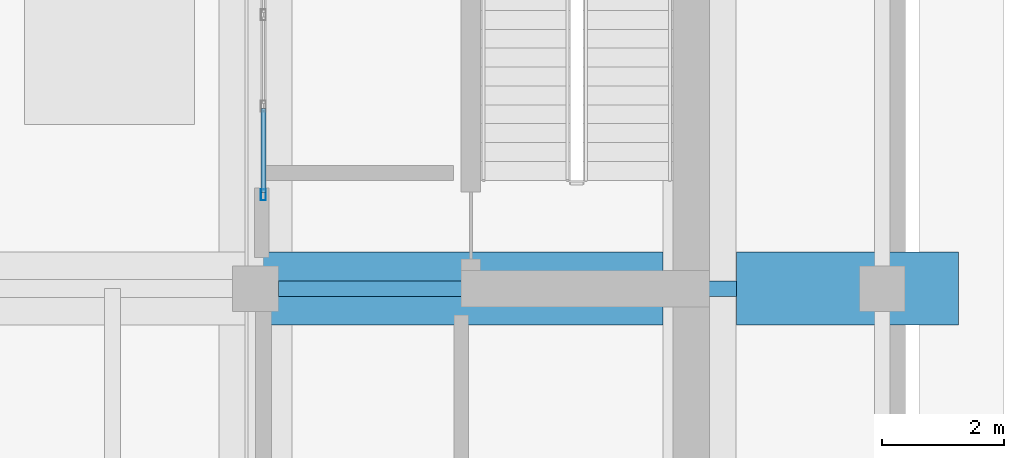
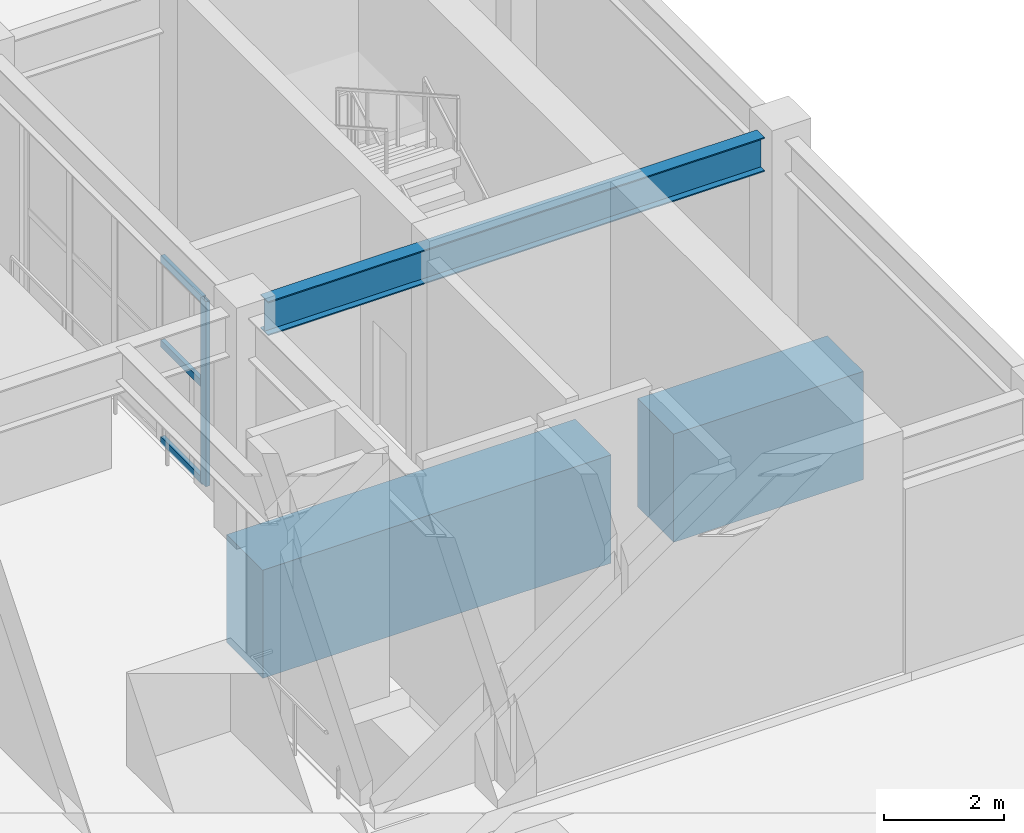
# One storey, part 6 of 16: 4 members, 3 beams, 1 element without a shape of its own.
"""IFC4 building model written with IfcOpenShell, lengths in metres."""

import ifcopenshell
import ifcopenshell.guid

model = None  # the IFC model being written
_history = None  # IfcOwnerHistory: only IFC2X3 demands one
_inside = {}  # id of a spatial element -> (the spatial element, [elements in it])
_under = {}  # id of a project, library or spatial element -> (it, [spatial elements below it])
_declared = {}  # id of a project -> (the project, [libraries it declares])
_typed = {}  # id of a type object -> (the type object, [elements of that type])
_made_of = {}  # id of a material, layer set ... -> (it, [elements and type objects made of it])


def new_model(schema):
    """Start an empty IFC model of exactly this schema.

    Asked for "IFC4X3", IfcOpenShell would pick the latest addendum, in which some entities
    have other attributes; the version numbers below select the first issue.
    IFC2X3 requires an IfcOwnerHistory on every rooted entity: one is made here for all.
    """
    global model, _history
    if schema == "IFC4X3":
        model = ifcopenshell.file(schema_version=(4, 3, 0, 0))
    else:
        model = ifcopenshell.file(schema=schema)
    _inside.clear()
    _under.clear()
    _declared.clear()
    _typed.clear()
    _made_of.clear()
    _history = None
    if model.schema == "IFC2X3":
        org = make("IfcOrganization", Name="unknown")
        user = make(
            "IfcPersonAndOrganization",
            ThePerson=make("IfcPerson", FamilyName="unknown"),
            TheOrganization=org,
        )
        app = make(
            "IfcApplication",
            ApplicationDeveloper=org,
            Version="unknown",
            ApplicationFullName="unknown",
            ApplicationIdentifier="unknown",
        )
        _history = make(
            "IfcOwnerHistory",
            OwningUser=user,
            OwningApplication=app,
            ChangeAction="ADDED",
            CreationDate=0,
        )
    return model


def make(cls, **values):
    """One entity of the class cls with the attributes given. An attribute that is None is left unset."""
    return model.create_entity(
        cls, **{name: value for name, value in values.items() if value is not None}
    )


def rooted(cls, **values):
    """An entity with a GlobalId (a new one), such as an element, a storey or a relation."""
    return make(cls, GlobalId=ifcopenshell.guid.new(), OwnerHistory=_history, **values)


def si_unit(unit_type, name, prefix=None):
    """IfcSIUnit, for example si_unit("LENGTHUNIT", "METRE", prefix="MILLI")."""
    return make("IfcSIUnit", UnitType=unit_type, Prefix=prefix, Name=name)


def assignment(units):
    """IfcUnitAssignment: the units of a project."""
    return None if units is None else make("IfcUnitAssignment", Units=units)


def point(xyz):
    """IfcCartesianPoint."""
    return None if xyz is None else make("IfcCartesianPoint", Coordinates=xyz)


def direction(xyz):
    """IfcDirection."""
    return None if xyz is None else make("IfcDirection", DirectionRatios=xyz)


def frame(location, z_axis=None, x_axis=None):
    """IfcAxis2Placement3D, a coordinate frame: its origin and axes. An axis left out is left unset."""
    return make(
        "IfcAxis2Placement3D",
        Location=point(location),
        Axis=direction(z_axis),
        RefDirection=direction(x_axis),
    )


def frame_2d(location, x_axis=None):
    """IfcAxis2Placement2D, a coordinate frame in the plane: its origin and x axis."""
    return make(
        "IfcAxis2Placement2D", Location=point(location), RefDirection=direction(x_axis)
    )


def origin():
    """The frame at (0, 0, 0) with its axes left unset."""
    return frame((0.0, 0.0, 0.0))


def origin_2d():
    """The frame at (0, 0) in the plane with its x axis left unset."""
    return frame_2d((0.0, 0.0))


def place(relative_to, where):
    """IfcLocalPlacement: puts the frame where relative to a parent placement (None: the world)."""
    return make(
        "IfcLocalPlacement", PlacementRelTo=relative_to, RelativePlacement=where
    )


def context(
    kind, dimensions, precision=None, world=None, true_north=None, identifier=None
):
    """IfcGeometricRepresentationContext, for example the 3D "Model" context."""
    return make(
        "IfcGeometricRepresentationContext",
        ContextIdentifier=identifier,
        ContextType=kind,
        CoordinateSpaceDimension=dimensions,
        Precision=precision,
        WorldCoordinateSystem=world,
        TrueNorth=true_north,
    )


def subcontext(parent, identifier, kind, view, scale=None):
    """IfcGeometricRepresentationSubContext, for example "Body" below "Model"."""
    return make(
        "IfcGeometricRepresentationSubContext",
        ContextIdentifier=identifier,
        ContextType=kind,
        ParentContext=parent,
        TargetScale=scale,
        TargetView=view,
    )


def project(units=None, contexts=None):
    """IfcProject with its units and contexts."""
    return rooted(
        "IfcProject",
        Name="project",
        RepresentationContexts=contexts,
        UnitsInContext=assignment(units),
    )


def spatial(cls, under=None, at=None, **own):
    """A site, building, storey or space (cls), placed at a placement, below another one or the project."""
    s = rooted(cls, ObjectPlacement=at, **own)
    if under is not None:
        _under.setdefault(under.id(), (under, []))[1].append(s)
    return s


def profile(cls, at=None, kind="AREA", **sizes):
    """A parametric profile (cls). Its sizes go by their IFC names, for example OverallWidth=200.0."""
    return make(cls, ProfileType=kind, Position=at, **sizes)


def rectangle(**sizes):
    """IfcRectangleProfileDef."""
    return profile("IfcRectangleProfileDef", **sizes)


def hollow_rectangle(**sizes):
    """IfcRectangleHollowProfileDef."""
    return profile("IfcRectangleHollowProfileDef", **sizes)


def i_section(**sizes):
    """IfcIShapeProfileDef."""
    return profile("IfcIShapeProfileDef", **sizes)


def extrude(swept, where, along, depth):
    """IfcExtrudedAreaSolid: the profile swept, set in the frame where, extruded along a direction by depth."""
    return make(
        "IfcExtrudedAreaSolid",
        SweptArea=swept,
        Position=where,
        ExtrudedDirection=direction(along),
        Depth=depth,
    )


def shape(context_of_items, identifier, shape_type, items):
    """IfcShapeRepresentation: the items that make up one representation, for example the "Body"."""
    return make(
        "IfcShapeRepresentation",
        ContextOfItems=context_of_items,
        RepresentationIdentifier=identifier,
        RepresentationType=shape_type,
        Items=items,
    )


def material(Name=None, Category=None):
    """IfcMaterial."""
    return make("IfcMaterial", Name=Name, Category=Category)


def layer(
    of_material, thickness, ventilated=None, Name=None, Category=None, Priority=None
):
    """IfcMaterialLayer: one layer of a wall or slab, of a material (None: an air gap)."""
    return make(
        "IfcMaterialLayer",
        Material=of_material,
        LayerThickness=thickness,
        IsVentilated=ventilated,
        Name=Name,
        Category=Category,
        Priority=Priority,
    )


def layer_set(layers, Name=None):
    """IfcMaterialLayerSet."""
    return make("IfcMaterialLayerSet", MaterialLayers=layers, LayerSetName=Name)


def material_profile(
    of_material, cross_section, Name=None, Category=None, Priority=None
):
    """IfcMaterialProfile: a cross section and its material."""
    return make(
        "IfcMaterialProfile",
        Name=Name,
        Material=of_material,
        Profile=cross_section,
        Priority=Priority,
        Category=Category,
    )


def profile_set(profiles, Name=None, composite=None):
    """IfcMaterialProfileSet."""
    return make(
        "IfcMaterialProfileSet",
        Name=Name,
        MaterialProfiles=profiles,
        CompositeProfile=composite,
    )


def made_of(thing, what):
    """Note that an element or type object is made of a material, layer set ...; save() writes the relation."""
    if what is not None:
        _made_of.setdefault(what.id(), (what, []))[1].append(thing)
    return thing


def type_object(cls, material=None, **own):
    """A type object (cls), such as IfcWallType, which elements share."""
    return made_of(rooted(cls, **own), material)


def element(
    cls,
    number,
    at=None,
    inside=None,
    cuts=None,
    type_object=None,
    material=None,
    context=None,
    identifier="Body",
    shape_type=None,
    held_by="IfcProductDefinitionShape",
    body=None,
    shapes=None,
    **own,
):
    """One element of the class cls, such as IfcWall. Its Tag is "e" and its number.

    at: its placement. inside: the storey or other place that contains it. cuts: it is an
    opening in that element (IfcRelVoidsElement). A single representation is given by context,
    identifier, shape_type and body (its items); several are given by shapes. held_by: the class
    of the entity that holds the representations. save() writes the other relations.
    """
    e = rooted(cls, Tag="e%d" % number, ObjectPlacement=at, **own)
    if body is not None:
        shapes = [shape(context, identifier, shape_type, body)]
    if shapes is not None:
        e.Representation = make(held_by, Representations=shapes)
    if inside is not None:
        _inside.setdefault(inside.id(), (inside, []))[1].append(e)
    if cuts is not None:
        rooted(
            "IfcRelVoidsElement", RelatingBuildingElement=cuts, RelatedOpeningElement=e
        )
    if type_object is not None:
        _typed.setdefault(type_object.id(), (type_object, []))[1].append(e)
    return made_of(e, material)


def aggregate(whole, parts):
    """IfcRelAggregates: a whole, such as a stair, and the parts it consists of."""
    return rooted("IfcRelAggregates", RelatingObject=whole, RelatedObjects=parts)


def save(model, path):
    """Write the relations noted so far, then the file.

    IfcRelAggregates (storeys below a building ...), IfcRelContainedInSpatialStructure (elements
    in a storey), IfcRelDefinesByType, IfcRelAssociatesMaterial and IfcRelDeclares: one each for
    every whole, place, type object, material and project.
    """
    for whole, parts in _under.values():
        aggregate(whole, parts)
    for where, things in _inside.values():
        rooted(
            "IfcRelContainedInSpatialStructure",
            RelatedElements=things,
            RelatingStructure=where,
        )
    for kind, things in _typed.values():
        rooted("IfcRelDefinesByType", RelatedObjects=things, RelatingType=kind)
    for what, things in _made_of.values():
        rooted("IfcRelAssociatesMaterial", RelatedObjects=things, RelatingMaterial=what)
    for by, libraries in _declared.values():
        rooted("IfcRelDeclares", RelatingContext=by, RelatedDefinitions=libraries)
    model.write(path)


model = new_model("IFC4")

# Units and contexts
model_context = context("Model", 3, precision=1e-05, world=origin(), true_north=direction((0.0, 1.0)))
body_context = subcontext(model_context, "Body", "Model", "MODEL_VIEW")
ifc_project = project(units=[si_unit("LENGTHUNIT", "METRE"), si_unit("AREAUNIT", "SQUARE_METRE"), si_unit("VOLUMEUNIT", "CUBIC_METRE"), si_unit("PLANEANGLEUNIT", "RADIAN"), si_unit("MASSUNIT", "GRAM", prefix="KILO")], contexts=[model_context])

# Site, building, storey
site_placement = place(None, origin())
site = spatial("IfcSite", under=ifc_project, at=site_placement, CompositionType="ELEMENT")
building_placement = place(site_placement, origin())
building = spatial("IfcBuilding", under=site, at=building_placement, Name="Solanera Arch Residences", CompositionType="ELEMENT")
storey_placement = place(building_placement, frame((0.0, 0.0, 278.080078125)))
storey = spatial("IfcBuildingStorey", under=building, at=storey_placement, Name="L80", CompositionType="ELEMENT", Elevation=278.080078125)

# Curtain wall, members
ifc_material_1 = material(Name="Anodised Aluminium Alloy 6063-T6", Category="aluminium")
ifc_layer = layer(ifc_material_1, 0.179931640625)
ifc_layer_set = layer_set([ifc_layer], Name="Anodised Aluminium Alloy 6063-T6")
curtain_wall_type = type_object("IfcCurtainWallType", Name="CW-6 Split-Top Crown Lantern Curtain Wall", PredefinedType="USERDEFINED", material=ifc_layer_set)
curtain_wall_placement = place(storey_placement, origin())
curtain_wall = element("IfcCurtainWall", 1, at=curtain_wall_placement, inside=storey, type_object=curtain_wall_type, Name="L80 E Crown Cleft Lantern Curtain Wall", ObjectType="CURTAIN_WALL", PredefinedType="USERDEFINED")
ifc_material_2 = material(Name="Anodised Aluminium Alloy 6063-T6", Category="aluminium")
ifc_material_profile_1 = material_profile(ifc_material_2, hollow_rectangle(XDim=0.080078125, YDim=0.179931640625, WallThickness=0.00390625, at=origin_2d()))
ifc_profile_set_1 = profile_set([ifc_material_profile_1], Name="Anodised Aluminium Alloy 6063-T6")
member_type_1 = type_object("IfcMemberType", Name="Curtain Wall Mullion ALU-MUL-80X180", PredefinedType="MULLION", material=ifc_profile_set_1)
member_1_placement = place(storey_placement, frame((29.330078125, 32.239990234375, 0.0), z_axis=(0.0, 0.0, 1.0), x_axis=(-1.0, 0.0, 0.0)))
member_1 = element("IfcMember", 2, at=member_1_placement, type_object=member_type_1, Name="CW-6 mullion 1", PredefinedType="MULLION", context=body_context, shape_type="SweptSolid", body=[
    extrude(hollow_rectangle(XDim=0.080078125, YDim=0.179931640625, WallThickness=0.00390625, at=origin_2d()), origin(), (0.0, 0.0, 1.0), 3.760009765625),
])
ifc_material_3 = material(Name="Anodised Aluminium Alloy 6063-T6", Category="aluminium")
ifc_material_profile_2 = material_profile(ifc_material_3, hollow_rectangle(XDim=0.080078125, YDim=0.139892578125, WallThickness=0.00390625, at=origin_2d()))
ifc_profile_set_2 = profile_set([ifc_material_profile_2], Name="Anodised Aluminium Alloy 6063-T6")
member_type_2 = type_object("IfcMemberType", Name="Curtain Wall Transom ALU-TRN-80X140", PredefinedType="USERDEFINED", material=ifc_profile_set_2)
member_2_placement = place(storey_placement, frame((29.330078125, 32.280029296875, 0.0400390625), z_axis=(0.0, 1.0, 0.0), x_axis=(-1.0, 0.0, 0.0)))
member_2 = element("IfcMember", 3, at=member_2_placement, type_object=member_type_2, Name="CW-6 transom 1.1", ObjectType="TRANSOM", PredefinedType="USERDEFINED", context=body_context, shape_type="SweptSolid", body=[
    extrude(hollow_rectangle(XDim=0.080078125, YDim=0.139892578125, WallThickness=0.00390625, at=origin_2d()), origin(), (0.0, 0.0, 1.0), 1.3798828125),
])
member_3_placement = place(storey_placement, frame((29.330078125, 32.280029296875, 2.0), z_axis=(0.0, 1.0, 0.0), x_axis=(-1.0, 0.0, 0.0)))
member_3 = element("IfcMember", 4, at=member_3_placement, type_object=member_type_2, Name="CW-6 transom 1.2", ObjectType="TRANSOM", PredefinedType="USERDEFINED", context=body_context, shape_type="SweptSolid", body=[
    extrude(hollow_rectangle(XDim=0.080078125, YDim=0.139892578125, WallThickness=0.00390625, at=origin_2d()), origin(), (0.0, 0.0, 1.0), 1.3798828125),
])
member_4_placement = place(storey_placement, frame((29.330078125, 32.280029296875, 3.719970703125), z_axis=(0.0, 1.0, 0.0), x_axis=(-1.0, 0.0, 0.0)))
member_4 = element("IfcMember", 5, at=member_4_placement, type_object=member_type_2, Name="CW-6 transom 1.3", ObjectType="TRANSOM", PredefinedType="USERDEFINED", context=body_context, shape_type="SweptSolid", body=[
    extrude(hollow_rectangle(XDim=0.080078125, YDim=0.139892578125, WallThickness=0.00390625, at=origin_2d()), origin(), (0.0, 0.0, 1.0), 1.3798828125),
])
aggregate(curtain_wall, [member_1, member_2, member_3, member_4])

# Beams
ifc_material_4 = material(Name="Steel S355 (ASTM A992 / A572 Grade 50)", Category="steel")
ifc_material_profile_3 = material_profile(ifc_material_4, i_section(OverallWidth=0.256103515625, OverallDepth=0.693115234375, WebThickness=0.014404296875, FlangeThickness=0.023681640625, at=origin_2d()))
ifc_profile_set_3 = profile_set([ifc_material_profile_3], Name="Steel S355 (ASTM A992 / A572 Grade 50)")
beam_type_1 = type_object("IfcBeamType", Name="Primary Beam W690X170", PredefinedType="BEAM", material=ifc_profile_set_3)
beam_1_placement = place(storey_placement, frame((29.574951171875, 30.699951171875, 4.27294921875), z_axis=(1.0, 0.0, 0.0), x_axis=(0.0, 1.0, 0.0)))
element("IfcBeam", 6, at=beam_1_placement, inside=storey, type_object=beam_type_1, Name="BM-L80-CR-EM", PredefinedType="BEAM", context=body_context, shape_type="SweptSolid", body=[
    extrude(i_section(OverallWidth=0.256103515625, OverallDepth=0.693115234375, WebThickness=0.014404296875, FlangeThickness=0.023681640625, at=origin_2d()), origin(), (0.0, 0.0, 1.0), 9.550048828125),
])
ifc_material_5 = material(Name="Concrete C55/67 (f'c = 60 MPa)", Category="concrete")
ifc_material_profile_4 = material_profile(ifc_material_5, rectangle(XDim=1.199951171875, YDim=2.199951171875, at=origin_2d()))
ifc_profile_set_4 = profile_set([ifc_material_profile_4], Name="Concrete C55/67 (f'c = 60 MPa)")
beam_type_2 = type_object("IfcBeamType", Name="Transfer Girder RC-BM-1200X2200", PredefinedType="BEAM", material=ifc_profile_set_4)
beam_2_placement = place(storey_placement, frame((29.199951171875, 30.699951171875, -1.52001953125), z_axis=(1.0, 0.0, 0.0), x_axis=(0.0, 1.0, 0.0)))
element("IfcBeam", 7, at=beam_2_placement, inside=storey, type_object=beam_type_2, Name="BM-L80-CRX-EWCE-307", PredefinedType="BEAM", context=body_context, shape_type="SweptSolid", body=[
    extrude(rectangle(XDim=1.199951171875, YDim=2.199951171875, at=origin_2d()), origin(), (0.0, 0.0, 1.0), 6.699951171875),
])
beam_3_placement = place(storey_placement, frame((37.10009765625, 30.699951171875, -1.52001953125), z_axis=(1.0, 0.0, 0.0), x_axis=(0.0, 1.0, 0.0)))
element("IfcBeam", 8, at=beam_3_placement, inside=storey, type_object=beam_type_2, Name="BM-L80-CRX-EWE-307", PredefinedType="BEAM", context=body_context, shape_type="SweptSolid", body=[
    extrude(rectangle(XDim=1.199951171875, YDim=2.199951171875, at=origin_2d()), origin(), (0.0, 0.0, 1.0), 3.64990234375),
])

save(model, "model.ifc")
